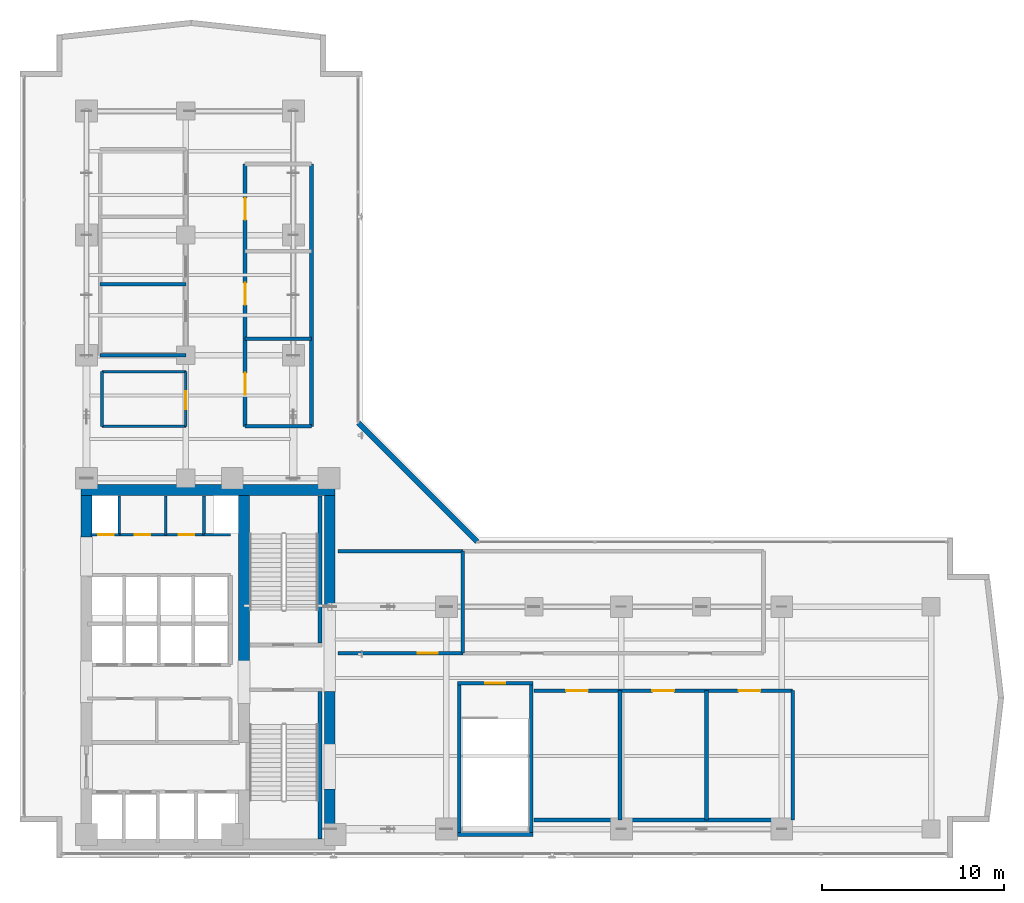
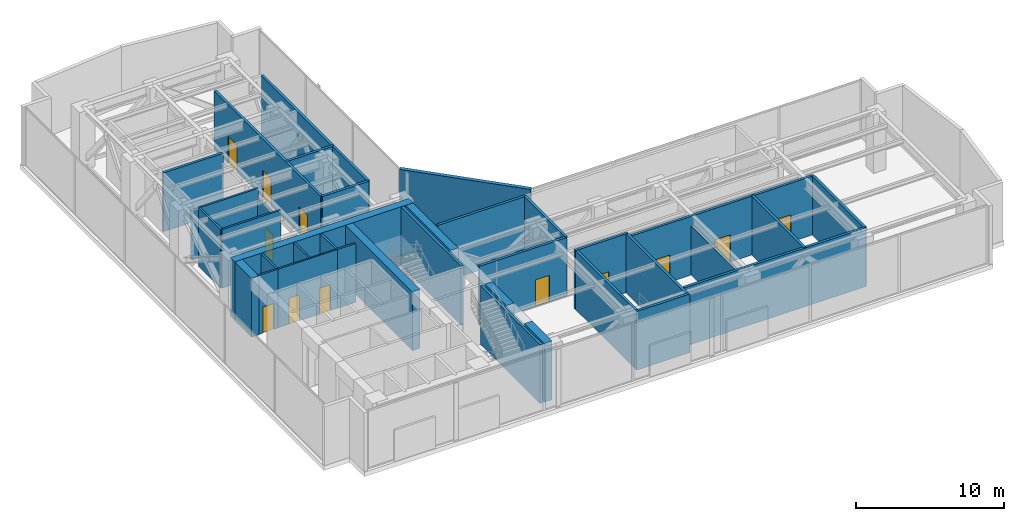
# One storey, part 31 of 36: 37 walls, 12 doors, 12 openings.
"""IFC4 building model written with IfcOpenShell, lengths in metres."""

from ifc_helpers import new_model, si_unit, direction, frame, frame_2d, origin, place, context, subcontext, project, spatial, rectangle, extrude, material, layer, layer_set, type_object, element, fill, save


model = new_model("IFC4")

# Units and contexts
model_context = context("Model", 3, precision=1e-05, world=origin(), true_north=direction((0.0, 1.0)))
body_context = subcontext(model_context, "Body", "Model", "MODEL_VIEW")
ifc_project = project(units=[si_unit("LENGTHUNIT", "METRE"), si_unit("AREAUNIT", "SQUARE_METRE"), si_unit("VOLUMEUNIT", "CUBIC_METRE"), si_unit("PLANEANGLEUNIT", "RADIAN"), si_unit("MASSUNIT", "GRAM", prefix="KILO")], contexts=[model_context])

# Site, building, storey
site_placement = place(None, origin())
site = spatial("IfcSite", under=ifc_project, at=site_placement, CompositionType="ELEMENT")
building_placement = place(site_placement, origin())
building = spatial("IfcBuilding", under=site, at=building_placement, Name="Kolvaren Waterfront Exchange", CompositionType="ELEMENT")
storey_placement = place(building_placement, frame((0.0, 0.0, 199.39990234375)))
storey = spatial("IfcBuildingStorey", under=building, at=storey_placement, Name="L51", CompositionType="ELEMENT", Elevation=199.39990234375)

# Walls
ifc_material_1 = material(Name="Precast concrete C40/50", Category="concrete")
ifc_layer_1 = layer(ifc_material_1, 0.280029296875, Name="Precast concrete C40/50")
ifc_layer_set_1 = layer_set([ifc_layer_1], Name="Precast concrete C40/50")
wall_type_1 = type_object("IfcWallType", Name="ARC-EXT-TERR-280", PredefinedType="SOLIDWALL", material=ifc_layer_set_1)
wall_1_placement = place(storey_placement, frame((28.885009765625, 20.97509765625, 0.0), z_axis=(0.0, 0.0, 1.0), x_axis=(-0.707106781187, 0.707106781187, 0.0)))
element("IfcWall", 1, at=wall_1_placement, inside=storey, type_object=wall_type_1, Name="L51 notched corner spandrel pier ELBOW", PredefinedType="SOLIDWALL", context=body_context, shape_type="SweptSolid", body=[
    extrude(rectangle(XDim=9.20654296875, YDim=0.280029296875, at=frame_2d((4.603271484375, 0.0))), origin(), (0.0, 0.0, 1.0), 4.860107421875),
])
ifc_layer_2 = layer(ifc_material_1, 0.199951171875, Name="Precast concrete C40/50")
ifc_layer_set_2 = layer_set([ifc_layer_2], Name="Precast concrete C40/50")
wall_type_2 = type_object("IfcWallType", Name="ARC-FIRE-200", PredefinedType="PARTITIONING", material=ifc_layer_set_2)
wall_2_placement = place(storey_placement, frame((28.10009765625, 14.85009765625, 0.0), z_axis=(0.0, 0.0, 1.0), x_axis=(0.0, 1.0, 0.0)))
element("IfcWall", 2, at=wall_2_placement, inside=storey, type_object=wall_type_2, Name="L51 interior wall PW-L51-REF-W", PredefinedType="PARTITIONING", context=body_context, shape_type="SweptSolid", body=[
    extrude(rectangle(XDim=5.599853515625, YDim=0.199951171875, at=frame_2d((2.7998046875, 0.0))), origin(), (0.0, 0.0, 1.0), 4.860107421875),
])

# Wall, opening, door
wall_3_placement = place(storey_placement, frame((21.25, 14.85009765625, 0.0), z_axis=(0.0, 0.0, 1.0), x_axis=(1.0, 0.0, 0.0)))
wall_3 = element("IfcWall", 3, at=wall_3_placement, inside=storey, type_object=wall_type_2, Name="L51 interior wall PW-L51-OAPL-S", PredefinedType="PARTITIONING", context=body_context, shape_type="SweptSolid", body=[
    extrude(rectangle(XDim=6.85009765625, YDim=0.199951171875, at=frame_2d((3.425048828125, 0.0))), origin(), (0.0, 0.0, 1.0), 4.860107421875),
])
opening_1_placement = place(wall_3_placement, frame((4.372314453125, 0.0, 0.0)))
opening_1 = element("IfcOpeningElement", 4, at=opening_1_placement, cuts=wall_3, Name="Opening FD2", PredefinedType="OPENING", context=body_context, shape_type="SweptSolid", body=[
    extrude(rectangle(XDim=1.10009765625, YDim=2.199951171875, at=frame_2d((0.550048828125, 1.10009765625))), frame((0.0, 0.10986328125, 0.0), z_axis=(0.0, -1.0, 0.0), x_axis=(1.0, 0.0, 0.0)), (0.0, 0.0, 1.0), 0.219970703125),
])
ifc_material_2 = material(Name="Pressed steel smoke-seal fire door", Category="steel")
door_type_1 = type_object("IfcDoorType", Name="ARC-FD-1100", OperationType="NOTDEFINED", PredefinedType="DOOR", material=ifc_material_2)
door_1_placement = place(opening_1_placement, origin())
door_1 = element("IfcDoor", 5, at=door_1_placement, inside=storey, type_object=door_type_1, Name="L51 door DR-L51-OAPL1-D (FD2)", OperationType="SINGLE_SWING_LEFT", OverallHeight=2.199951171875, OverallWidth=1.10009765625, PredefinedType="DOOR", context=body_context, shape_type="SweptSolid", body=[
    extrude(rectangle(XDim=1.10009765625, YDim=2.199951171875, at=frame_2d((0.550048828125, 1.10009765625))), frame((0.0, 0.02490234375, 0.0), z_axis=(0.0, -1.0, 0.0), x_axis=(1.0, 0.0, 0.0)), (0.0, 0.0, 1.0), 0.050048828125),
])
fill(opening_1, door_1)

# Wall
wall_4_placement = place(storey_placement, frame((21.25, 20.449951171875, 0.0), z_axis=(0.0, 0.0, 1.0), x_axis=(1.0, 0.0, 0.0)))
element("IfcWall", 6, at=wall_4_placement, inside=storey, type_object=wall_type_2, Name="L51 interior wall PW-L51-OAPL-N", PredefinedType="PARTITIONING", context=body_context, shape_type="SweptSolid", body=[
    extrude(rectangle(XDim=6.85009765625, YDim=0.199951171875, at=frame_2d((3.425048828125, 0.0))), origin(), (0.0, 0.0, 1.0), 4.860107421875),
])

# Wall, openings, doors
wall_5_placement = place(storey_placement, frame((32.0, 12.800048828125, 0.0), z_axis=(0.0, 0.0, 1.0), x_axis=(1.0, 0.0, 0.0)))
wall_5 = element("IfcWall", 7, at=wall_5_placement, inside=storey, type_object=wall_type_2, Name="L51 interior wall PW-L51-PL-N1", PredefinedType="PARTITIONING", context=body_context, shape_type="SweptSolid", body=[
    extrude(rectangle(XDim=14.199951171875, YDim=0.199951171875, at=frame_2d((7.10009765625, 0.0))), origin(), (0.0, 0.0, 1.0), 4.860107421875),
])
opening_2_placement = place(wall_5_placement, frame((1.764892578125, 0.0, 0.0)))
opening_2 = element("IfcOpeningElement", 8, at=opening_2_placement, cuts=wall_5, Name="Opening FD3", PredefinedType="OPENING", context=body_context, shape_type="SweptSolid", body=[
    extrude(rectangle(XDim=1.199951171875, YDim=2.25, at=frame_2d((0.60009765625, 1.125))), frame((0.0, 0.10986328125, 0.0), z_axis=(0.0, -1.0, 0.0), x_axis=(1.0, 0.0, 0.0)), (0.0, 0.0, 1.0), 0.219970703125),
])
opening_3_placement = place(wall_5_placement, frame((6.5, 0.0, 0.0)))
opening_3 = element("IfcOpeningElement", 9, at=opening_3_placement, cuts=wall_5, Name="Opening FD3", PredefinedType="OPENING", context=body_context, shape_type="SweptSolid", body=[
    extrude(rectangle(XDim=1.199951171875, YDim=2.25, at=frame_2d((0.60009765625, 1.125))), frame((0.0, 0.10986328125, 0.0), z_axis=(0.0, -1.0, 0.0), x_axis=(1.0, 0.0, 0.0)), (0.0, 0.0, 1.0), 0.219970703125),
])
opening_4_placement = place(wall_5_placement, frame((11.235107421875, 0.0, 0.0)))
opening_4 = element("IfcOpeningElement", 10, at=opening_4_placement, cuts=wall_5, Name="Opening FD3", PredefinedType="OPENING", context=body_context, shape_type="SweptSolid", body=[
    extrude(rectangle(XDim=1.199951171875, YDim=2.25, at=frame_2d((0.60009765625, 1.125))), frame((0.0, 0.10986328125, 0.0), z_axis=(0.0, -1.0, 0.0), x_axis=(1.0, 0.0, 0.0)), (0.0, 0.0, 1.0), 0.219970703125),
])
ifc_material_3 = material(Name="Pressed steel fire door", Category="steel")
door_type_2 = type_object("IfcDoorType", Name="ARC-FD-1200", OperationType="NOTDEFINED", PredefinedType="DOOR", material=ifc_material_3)
door_2_placement = place(opening_2_placement, origin())
door_2 = element("IfcDoor", 11, at=door_2_placement, inside=storey, type_object=door_type_2, Name="L51 door DR-L51-PLES-D1 (FD3)", OperationType="SINGLE_SWING_LEFT", OverallHeight=2.25, OverallWidth=1.199951171875, PredefinedType="DOOR", context=body_context, shape_type="SweptSolid", body=[
    extrude(rectangle(XDim=1.199951171875, YDim=2.25, at=frame_2d((0.60009765625, 1.125))), frame((0.0, 0.02490234375, 0.0), z_axis=(0.0, -1.0, 0.0), x_axis=(1.0, 0.0, 0.0)), (0.0, 0.0, 1.0), 0.050048828125),
])
fill(opening_2, door_2)
door_3_placement = place(opening_3_placement, origin())
door_3 = element("IfcDoor", 12, at=door_3_placement, inside=storey, type_object=door_type_2, Name="L51 door DR-L51-PLES-D2 (FD3)", OperationType="SINGLE_SWING_RIGHT", OverallHeight=2.25, OverallWidth=1.199951171875, PredefinedType="DOOR", context=body_context, shape_type="SweptSolid", body=[
    extrude(rectangle(XDim=1.199951171875, YDim=2.25, at=frame_2d((0.60009765625, 1.125))), frame((0.0, 0.02490234375, 0.0), z_axis=(0.0, -1.0, 0.0), x_axis=(1.0, 0.0, 0.0)), (0.0, 0.0, 1.0), 0.050048828125),
])
fill(opening_3, door_3)
door_4_placement = place(opening_4_placement, origin())
door_4 = element("IfcDoor", 13, at=door_4_placement, inside=storey, type_object=door_type_2, Name="L51 door DR-L51-PLES-D3 (FD3)", OperationType="SINGLE_SWING_LEFT", OverallHeight=2.25, OverallWidth=1.199951171875, PredefinedType="DOOR", context=body_context, shape_type="SweptSolid", body=[
    extrude(rectangle(XDim=1.199951171875, YDim=2.25, at=frame_2d((0.60009765625, 1.125))), frame((0.0, 0.02490234375, 0.0), z_axis=(0.0, -1.0, 0.0), x_axis=(1.0, 0.0, 0.0)), (0.0, 0.0, 1.0), 0.050048828125),
])
fill(opening_4, door_4)

# Walls
wall_6_placement = place(storey_placement, frame((46.199951171875, 5.699951171875, 0.0), z_axis=(0.0, 0.0, 1.0), x_axis=(0.0, 1.0, 0.0)))
element("IfcWall", 14, at=wall_6_placement, inside=storey, type_object=wall_type_2, Name="L51 interior wall PW-L51-PL-E1", PredefinedType="PARTITIONING", context=body_context, shape_type="SweptSolid", body=[
    extrude(rectangle(XDim=7.10009765625, YDim=0.199951171875, at=frame_2d((3.550048828125, 0.0))), origin(), (0.0, 0.0, 1.0), 4.860107421875),
])
wall_7_placement = place(storey_placement, frame((32.0, 5.699951171875, 0.0), z_axis=(0.0, 0.0, 1.0), x_axis=(1.0, 0.0, 0.0)))
element("IfcWall", 15, at=wall_7_placement, inside=storey, type_object=wall_type_2, Name="L51 interior wall PW-L51-PL-S1", PredefinedType="PARTITIONING", context=body_context, shape_type="SweptSolid", body=[
    extrude(rectangle(XDim=14.199951171875, YDim=0.199951171875, at=frame_2d((7.10009765625, 0.0))), origin(), (0.0, 0.0, 1.0), 4.860107421875),
])
wall_8_placement = place(storey_placement, frame((36.72998046875, 5.699951171875, 0.0), z_axis=(0.0, 0.0, 1.0), x_axis=(0.0, 1.0, 0.0)))
element("IfcWall", 16, at=wall_8_placement, inside=storey, type_object=wall_type_2, Name="L51 interior wall PW-L51-PL-M1-1", PredefinedType="PARTITIONING", context=body_context, shape_type="SweptSolid", body=[
    extrude(rectangle(XDim=7.10009765625, YDim=0.199951171875, at=frame_2d((3.550048828125, 0.0))), origin(), (0.0, 0.0, 1.0), 4.06005859375),
])
wall_9_placement = place(storey_placement, frame((41.469970703125, 5.699951171875, 0.0), z_axis=(0.0, 0.0, 1.0), x_axis=(0.0, 1.0, 0.0)))
element("IfcWall", 17, at=wall_9_placement, inside=storey, type_object=wall_type_2, Name="L51 interior wall PW-L51-PL-M1-2", PredefinedType="PARTITIONING", context=body_context, shape_type="SweptSolid", body=[
    extrude(rectangle(XDim=7.10009765625, YDim=0.199951171875, at=frame_2d((3.550048828125, 0.0))), origin(), (0.0, 0.0, 1.0), 4.860107421875),
])
wall_10_placement = place(storey_placement, frame((8.199951171875, 31.199951171875, 0.0), z_axis=(0.0, 0.0, 1.0), x_axis=(1.0, 0.0, 0.0)))
element("IfcWall", 18, at=wall_10_placement, inside=storey, type_object=wall_type_2, Name="L51 interior wall PW-L51-PL-S3", PredefinedType="PARTITIONING", context=body_context, shape_type="SweptSolid", body=[
    extrude(rectangle(XDim=4.699951171875, YDim=0.199951171875, at=frame_2d((2.35009765625, 0.0))), origin(), (0.0, 0.0, 1.0), 4.06005859375),
])
wall_11_placement = place(storey_placement, frame((8.199951171875, 35.10009765625, 0.0), z_axis=(0.0, 0.0, 1.0), x_axis=(1.0, 0.0, 0.0)))
element("IfcWall", 19, at=wall_11_placement, inside=storey, type_object=wall_type_2, Name="L51 interior wall PW-L51-PL-M3-1", PredefinedType="PARTITIONING", context=body_context, shape_type="SweptSolid", body=[
    extrude(rectangle(XDim=4.699951171875, YDim=0.199951171875, at=frame_2d((2.35009765625, 0.0))), origin(), (0.0, 0.0, 1.0), 4.860107421875),
])

# Wall, openings, doors
wall_12_placement = place(storey_placement, frame((16.14990234375, 27.300048828125, 0.0), z_axis=(0.0, 0.0, 1.0), x_axis=(0.0, 1.0, 0.0)))
wall_12 = element("IfcWall", 20, at=wall_12_placement, inside=storey, type_object=wall_type_2, Name="L51 interior wall PW-L51-PL-W4", PredefinedType="PARTITIONING", context=body_context, shape_type="SweptSolid", body=[
    extrude(rectangle(XDim=14.39990234375, YDim=0.199951171875, at=frame_2d((7.199951171875, 0.0))), origin(), (0.0, 0.0, 1.0), 4.860107421875),
])
opening_5_placement = place(wall_12_placement, frame((1.72900390625, 0.0, 0.0)))
opening_5 = element("IfcOpeningElement", 21, at=opening_5_placement, cuts=wall_12, Name="Opening FD3", PredefinedType="OPENING", context=body_context, shape_type="SweptSolid", body=[
    extrude(rectangle(XDim=1.199951171875, YDim=2.25, at=frame_2d((0.60009765625, 1.125))), frame((0.0, 0.10986328125, 0.0), z_axis=(0.0, -1.0, 0.0), x_axis=(1.0, 0.0, 0.0)), (0.0, 0.0, 1.0), 0.219970703125),
])
opening_6_placement = place(wall_12_placement, frame((6.671142578125, 0.0, 0.0)))
opening_6 = element("IfcOpeningElement", 22, at=opening_6_placement, cuts=wall_12, Name="Opening FD3", PredefinedType="OPENING", context=body_context, shape_type="SweptSolid", body=[
    extrude(rectangle(XDim=1.199951171875, YDim=2.25, at=frame_2d((0.60009765625, 1.125))), frame((0.0, 0.10986328125, 0.0), z_axis=(0.0, -1.0, 0.0), x_axis=(1.0, 0.0, 0.0)), (0.0, 0.0, 1.0), 0.219970703125),
])
opening_7_placement = place(wall_12_placement, frame((11.328857421875, 0.0, 0.0)))
opening_7 = element("IfcOpeningElement", 23, at=opening_7_placement, cuts=wall_12, Name="Opening FD3", PredefinedType="OPENING", context=body_context, shape_type="SweptSolid", body=[
    extrude(rectangle(XDim=1.199951171875, YDim=2.25, at=frame_2d((0.60009765625, 1.125))), frame((0.0, 0.10986328125, 0.0), z_axis=(0.0, -1.0, 0.0), x_axis=(1.0, 0.0, 0.0)), (0.0, 0.0, 1.0), 0.219970703125),
])
door_5_placement = place(opening_5_placement, origin())
door_5 = element("IfcDoor", 24, at=door_5_placement, inside=storey, type_object=door_type_2, Name="L51 door DR-L51-PLNER-D1 (FD3)", OperationType="SINGLE_SWING_LEFT", OverallHeight=2.25, OverallWidth=1.199951171875, PredefinedType="DOOR", context=body_context, shape_type="SweptSolid", body=[
    extrude(rectangle(XDim=1.199951171875, YDim=2.25, at=frame_2d((0.60009765625, 1.125))), frame((0.0, 0.02490234375, 0.0), z_axis=(0.0, -1.0, 0.0), x_axis=(1.0, 0.0, 0.0)), (0.0, 0.0, 1.0), 0.050048828125),
])
fill(opening_5, door_5)
door_6_placement = place(opening_6_placement, origin())
door_6 = element("IfcDoor", 25, at=door_6_placement, inside=storey, type_object=door_type_2, Name="L51 door DR-L51-PLNER-D2 (FD3)", OperationType="SINGLE_SWING_RIGHT", OverallHeight=2.25, OverallWidth=1.199951171875, PredefinedType="DOOR", context=body_context, shape_type="SweptSolid", body=[
    extrude(rectangle(XDim=1.199951171875, YDim=2.25, at=frame_2d((0.60009765625, 1.125))), frame((0.0, 0.02490234375, 0.0), z_axis=(0.0, -1.0, 0.0), x_axis=(1.0, 0.0, 0.0)), (0.0, 0.0, 1.0), 0.050048828125),
])
fill(opening_6, door_6)
door_7_placement = place(opening_7_placement, origin())
door_7 = element("IfcDoor", 26, at=door_7_placement, inside=storey, type_object=door_type_2, Name="L51 door DR-L51-PLNER-D3 (FD3)", OperationType="SINGLE_SWING_LEFT", OverallHeight=2.25, OverallWidth=1.199951171875, PredefinedType="DOOR", context=body_context, shape_type="SweptSolid", body=[
    extrude(rectangle(XDim=1.199951171875, YDim=2.25, at=frame_2d((0.60009765625, 1.125))), frame((0.0, 0.02490234375, 0.0), z_axis=(0.0, -1.0, 0.0), x_axis=(1.0, 0.0, 0.0)), (0.0, 0.0, 1.0), 0.050048828125),
])
fill(opening_7, door_7)

# Walls
wall_13_placement = place(storey_placement, frame((19.800048828125, 27.300048828125, 0.0), z_axis=(0.0, 0.0, 1.0), x_axis=(0.0, 1.0, 0.0)))
element("IfcWall", 27, at=wall_13_placement, inside=storey, type_object=wall_type_2, Name="L51 interior wall PW-L51-PL-E4", PredefinedType="PARTITIONING", context=body_context, shape_type="SweptSolid", body=[
    extrude(rectangle(XDim=14.39990234375, YDim=0.199951171875, at=frame_2d((7.199951171875, 0.0))), origin(), (0.0, 0.0, 1.0), 4.860107421875),
])
for number, where, z_axis, x_axis, name in (
    (28, (16.14990234375, 27.300048828125, 0.0), (0.0, 0.0, 1.0), (1.0, 0.0, 0.0), "L51 interior wall PW-L51-PL-S4"),
    (29, (16.14990234375, 32.10009765625, 0.0), (0.0, 0.0, 1.0), (1.0, 0.0, 0.0), "L51 interior wall PW-L51-PL-M4-1"),
):
    element("IfcWall", number, at=place(storey_placement, frame(where, z_axis=z_axis, x_axis=x_axis)), inside=storey, type_object=wall_type_2, Name=name, PredefinedType="PARTITIONING", context=body_context, shape_type="SweptSolid", body=[
        extrude(rectangle(XDim=3.650146484375, YDim=0.199951171875, at=frame_2d((1.8251953125, 0.0))), origin(), (0.0, 0.0, 1.0), 4.860107421875),
    ])

# Wall, openings, doors
ifc_material_4 = material(Name="Acoustic gypsum steel stud", Category="steel")
ifc_layer_3 = layer(ifc_material_4, 0.125, Name="Acoustic gypsum steel stud")
ifc_layer_set_3 = layer_set([ifc_layer_3], Name="Acoustic gypsum steel stud")
wall_type_3 = type_object("IfcWallType", Name="ARC-PART-125", PredefinedType="PARTITIONING", material=ifc_layer_set_3)
wall_14_placement = place(storey_placement, frame((9.25, 21.35009765625, 0.0), z_axis=(0.0, 0.0, 1.0), x_axis=(1.0, 0.0, 0.0)))
wall_14 = element("IfcWall", 30, at=wall_14_placement, inside=storey, type_object=wall_type_3, Name="L51 interior wall PW-L51-SVC-EX-S", PredefinedType="PARTITIONING", context=body_context, shape_type="SweptSolid", body=[
    extrude(rectangle(XDim=4.64990234375, YDim=0.125, at=frame_2d((2.324951171875, 0.0))), origin(), (0.0, 0.0, 1.0), 4.860107421875),
])
opening_8_placement = place(wall_14_placement, frame((0.85009765625, 0.0, 0.0)))
opening_8 = element("IfcOpeningElement", 31, at=opening_8_placement, cuts=wall_14, Name="Opening D01", PredefinedType="OPENING", context=body_context, shape_type="SweptSolid", body=[
    extrude(rectangle(XDim=0.85009765625, YDim=2.14990234375, at=frame_2d((0.425048828125, 1.074951171875))), frame((0.0, 0.072509765625, 0.0), z_axis=(0.0, -1.0, 0.0), x_axis=(1.0, 0.0, 0.0)), (0.0, 0.0, 1.0), 0.14501953125),
])
opening_9_placement = place(wall_14_placement, frame((3.25, 0.0, 0.0)))
opening_9 = element("IfcOpeningElement", 32, at=opening_9_placement, cuts=wall_14, Name="Opening D01", PredefinedType="OPENING", context=body_context, shape_type="SweptSolid", body=[
    extrude(rectangle(XDim=0.85009765625, YDim=2.14990234375, at=frame_2d((0.425048828125, 1.074951171875))), frame((0.0, 0.072509765625, 0.0), z_axis=(0.0, -1.0, 0.0), x_axis=(1.0, 0.0, 0.0)), (0.0, 0.0, 1.0), 0.14501953125),
])
ifc_material_5 = material(Name="Oak veneer timber leaf", Category="wood")
door_type_3 = type_object("IfcDoorType", Name="ARC-DR-900", OperationType="NOTDEFINED", PredefinedType="DOOR", material=ifc_material_5)
door_8_placement = place(opening_8_placement, origin())
door_8 = element("IfcDoor", 33, at=door_8_placement, inside=storey, type_object=door_type_3, Name="L51 door DR-L51-SVC-DR-1 (D01)", OperationType="SINGLE_SWING_LEFT", OverallHeight=2.14990234375, OverallWidth=0.85009765625, PredefinedType="DOOR", context=body_context, shape_type="SweptSolid", body=[
    extrude(rectangle(XDim=0.85009765625, YDim=2.14990234375, at=frame_2d((0.425048828125, 1.074951171875))), frame((0.0, 0.02490234375, 0.0), z_axis=(0.0, -1.0, 0.0), x_axis=(1.0, 0.0, 0.0)), (0.0, 0.0, 1.0), 0.050048828125),
])
fill(opening_8, door_8)
door_9_placement = place(opening_9_placement, origin())
door_9 = element("IfcDoor", 34, at=door_9_placement, inside=storey, type_object=door_type_3, Name="L51 door DR-L51-SVC-DR-2 (D01)", OperationType="SINGLE_SWING_RIGHT", OverallHeight=2.14990234375, OverallWidth=0.85009765625, PredefinedType="DOOR", context=body_context, shape_type="SweptSolid", body=[
    extrude(rectangle(XDim=0.85009765625, YDim=2.14990234375, at=frame_2d((0.425048828125, 1.074951171875))), frame((0.0, 0.02490234375, 0.0), z_axis=(0.0, -1.0, 0.0), x_axis=(1.0, 0.0, 0.0)), (0.0, 0.0, 1.0), 0.050048828125),
])
fill(opening_9, door_9)

# Walls
wall_15_placement = place(storey_placement, frame((11.800048828125, 21.35009765625, 0.0), z_axis=(0.0, 0.0, 1.0), x_axis=(0.0, 1.0, 0.0)))
element("IfcWall", 35, at=wall_15_placement, inside=storey, type_object=wall_type_3, Name="L51 interior wall PW-L51-SVC-PL-M", PredefinedType="PARTITIONING", context=body_context, shape_type="SweptSolid", body=[
    extrude(rectangle(XDim=2.1298828125, YDim=0.125, at=frame_2d((1.06494140625, 0.0))), origin(), (0.0, 0.0, 1.0), 4.860107421875),
])
ifc_material_6 = material(Name="Gypsum fireboard steel stud", Category="steel")
ifc_layer_4 = layer(ifc_material_6, 0.14990234375, Name="Gypsum fireboard steel stud")
ifc_layer_set_4 = layer_set([ifc_layer_4], Name="Gypsum fireboard steel stud")
wall_type_4 = type_object("IfcWallType", Name="ARC-PART-150", PredefinedType="PARTITIONING", material=ifc_layer_set_4)
for number, where, z_axis, x_axis, name in (
    (36, (9.25, 21.35009765625, 0.0), (0.0, 0.0, 1.0), (0.0, 1.0, 0.0), "L51 interior wall PW-L51-SVC-R1"),
    (37, (13.89990234375, 21.35009765625, 0.0), (0.0, 0.0, 1.0), (0.0, 1.0, 0.0), "L51 interior wall PW-L51-SVC-R2"),
):
    element("IfcWall", number, at=place(storey_placement, frame(where, z_axis=z_axis, x_axis=x_axis)), inside=storey, type_object=wall_type_4, Name=name, PredefinedType="PARTITIONING", context=body_context, shape_type="SweptSolid", body=[
        extrude(rectangle(XDim=2.1298828125, YDim=0.14990234375, at=frame_2d((1.06494140625, 0.0))), origin(), (0.0, 0.0, 1.0), 4.860107421875),
    ])

# Wall, opening, door
wall_16_placement = place(storey_placement, frame((7.699951171875, 21.35009765625, 0.0), z_axis=(0.0, 0.0, 1.0), x_axis=(1.0, 0.0, 0.0)))
wall_16 = element("IfcWall", 38, at=wall_16_placement, inside=storey, type_object=wall_type_4, Name="L51 interior wall PW-L51-SVC-RE-S", PredefinedType="PARTITIONING", context=body_context, shape_type="SweptSolid", body=[
    extrude(rectangle(XDim=1.550048828125, YDim=0.14990234375, at=frame_2d((0.77490234375, 0.0))), origin(), (0.0, 0.0, 1.0), 4.860107421875),
])
opening_10_placement = place(wall_16_placement, frame((0.389892578125, 0.0, 0.0)))
opening_10 = element("IfcOpeningElement", 39, at=opening_10_placement, cuts=wall_16, Name="Opening FD1", PredefinedType="OPENING", context=body_context, shape_type="SweptSolid", body=[
    extrude(rectangle(XDim=0.85009765625, YDim=2.14990234375, at=frame_2d((0.425048828125, 1.074951171875))), frame((0.0, 0.0849609375, 0.0), z_axis=(0.0, -1.0, 0.0), x_axis=(1.0, 0.0, 0.0)), (0.0, 0.0, 1.0), 0.169921875),
])
ifc_material_7 = material(Name="Pressed steel fire leaf", Category="steel")
door_type_4 = type_object("IfcDoorType", Name="ARC-FD-900", OperationType="NOTDEFINED", PredefinedType="DOOR", material=ifc_material_7)
door_10_placement = place(opening_10_placement, origin())
door_10 = element("IfcDoor", 40, at=door_10_placement, inside=storey, type_object=door_type_4, Name="L51 door DR-L51-RISER-E-DR (FD1)", OperationType="SINGLE_SWING_RIGHT", OverallHeight=2.14990234375, OverallWidth=0.85009765625, PredefinedType="DOOR", context=body_context, shape_type="SweptSolid", body=[
    extrude(rectangle(XDim=0.85009765625, YDim=2.14990234375, at=frame_2d((0.425048828125, 1.074951171875))), frame((0.0, 0.02490234375, 0.0), z_axis=(0.0, -1.0, 0.0), x_axis=(1.0, 0.0, 0.0)), (0.0, 0.0, 1.0), 0.050048828125),
])
fill(opening_10, door_10)

# Walls
wall_17_placement = place(storey_placement, frame((13.89990234375, 21.35009765625, 0.0), z_axis=(0.0, 0.0, 1.0), x_axis=(1.0, 0.0, 0.0)))
element("IfcWall", 41, at=wall_17_placement, inside=storey, type_object=wall_type_4, Name="L51 interior wall PW-L51-SVC-RP-S", PredefinedType="PARTITIONING", context=body_context, shape_type="SweptSolid", body=[
    extrude(rectangle(XDim=1.4501953125, YDim=0.14990234375, at=frame_2d((0.72509765625, 0.0))), origin(), (0.0, 0.0, 1.0), 4.860107421875),
])
ifc_material_8 = material(Name="Moisture-resistant gypsum stud")
ifc_layer_5 = layer(ifc_material_8, 0.14990234375, Name="Moisture-resistant gypsum stud")
ifc_layer_set_5 = layer_set([ifc_layer_5], Name="Moisture-resistant gypsum stud")
wall_type_5 = type_object("IfcWallType", Name="ARC-PLUMB-150", PredefinedType="PLUMBINGWALL", material=ifc_layer_set_5)
wall_18_placement = place(storey_placement, frame((8.300048828125, 27.300048828125, 0.0), z_axis=(0.0, 0.0, 1.0), x_axis=(1.0, 0.0, 0.0)))
element("IfcWall", 42, at=wall_18_placement, inside=storey, type_object=wall_type_5, Name="L51 interior wall PW-L51-REF-WC-S", PredefinedType="PLUMBINGWALL", context=body_context, shape_type="SweptSolid", body=[
    extrude(rectangle(XDim=4.599853515625, YDim=0.14990234375, at=frame_2d((2.2998046875, 0.0))), origin(), (0.0, 0.0, 1.0), 4.860107421875),
])
wall_19_placement = place(storey_placement, frame((8.300048828125, 27.300048828125, 0.0), z_axis=(0.0, 0.0, 1.0), x_axis=(0.0, 1.0, 0.0)))
element("IfcWall", 43, at=wall_19_placement, inside=storey, type_object=wall_type_5, Name="L51 interior wall PW-L51-REF-WC-W", PredefinedType="PLUMBINGWALL", context=body_context, shape_type="SweptSolid", body=[
    extrude(rectangle(XDim=3.0, YDim=0.14990234375, at=frame_2d((1.5, 0.0))), origin(), (0.0, 0.0, 1.0), 4.860107421875),
])

# Wall, opening, door
wall_20_placement = place(storey_placement, frame((12.89990234375, 27.300048828125, 0.0), z_axis=(0.0, 0.0, 1.0), x_axis=(0.0, 1.0, 0.0)))
wall_20 = element("IfcWall", 44, at=wall_20_placement, inside=storey, type_object=wall_type_5, Name="L51 interior wall PW-L51-REF-WC-E", PredefinedType="PLUMBINGWALL", context=body_context, shape_type="SweptSolid", body=[
    extrude(rectangle(XDim=3.0, YDim=0.14990234375, at=frame_2d((1.5, 0.0))), origin(), (0.0, 0.0, 1.0), 4.06005859375),
])
opening_11_placement = place(wall_20_placement, frame((0.929931640625, 0.0, 0.0)))
opening_11 = element("IfcOpeningElement", 45, at=opening_11_placement, cuts=wall_20, Name="Opening D03", PredefinedType="OPENING", context=body_context, shape_type="SweptSolid", body=[
    extrude(rectangle(XDim=1.0, YDim=2.199951171875, at=frame_2d((0.5, 1.10009765625))), frame((0.0, 0.0849609375, 0.0), z_axis=(0.0, -1.0, 0.0), x_axis=(1.0, 0.0, 0.0)), (0.0, 0.0, 1.0), 0.169921875),
])
ifc_material_9 = material(Name="Oak veneer accessible timber", Category="wood")
door_type_5 = type_object("IfcDoorType", Name="ARC-DR-1000", OperationType="NOTDEFINED", PredefinedType="DOOR", material=ifc_material_9)
door_11_placement = place(opening_11_placement, origin())
door_11 = element("IfcDoor", 46, at=door_11_placement, inside=storey, type_object=door_type_5, Name="L51 door DR-L51-REF-WCD (D03)", OperationType="SINGLE_SWING_RIGHT", OverallHeight=2.199951171875, OverallWidth=1.0, PredefinedType="DOOR", context=body_context, shape_type="SweptSolid", body=[
    extrude(rectangle(XDim=1.0, YDim=2.199951171875, at=frame_2d((0.5, 1.10009765625))), frame((0.0, 0.02490234375, 0.0), z_axis=(0.0, -1.0, 0.0), x_axis=(1.0, 0.0, 0.0)), (0.0, 0.0, 1.0), 0.050048828125),
])
fill(opening_11, door_11)

# Walls
wall_21_placement = place(storey_placement, frame((8.300048828125, 30.300048828125, 0.0), z_axis=(0.0, 0.0, 1.0), x_axis=(1.0, 0.0, 0.0)))
element("IfcWall", 47, at=wall_21_placement, inside=storey, type_object=wall_type_5, Name="L51 interior wall PW-L51-REF-WC-N", PredefinedType="PLUMBINGWALL", context=body_context, shape_type="SweptSolid", body=[
    extrude(rectangle(XDim=4.599853515625, YDim=0.14990234375, at=frame_2d((2.2998046875, 0.0))), origin(), (0.0, 0.0, 1.0), 4.860107421875),
])
ifc_material_10 = material(Name="Concrete C40/50", Category="concrete")
ifc_layer_6 = layer(ifc_material_10, 0.199951171875, Name="Concrete C40/50")
ifc_layer_set_6 = layer_set([ifc_layer_6], Name="Concrete C40/50")
wall_type_6 = type_object("IfcWallType", Name="ARC-SHAFT-200", PredefinedType="PARTITIONING", material=ifc_layer_set_6)
for number, where, z_axis, x_axis, name in (
    (48, (20.260009765625, 4.659912109375, 0.0), (0.0, 0.0, 1.0), (0.0, 1.0, 0.0), "L51 structural stairwell wall PW-L51-ST1-E"),
    (49, (20.260009765625, 15.39990234375, 0.0), (0.0, 0.0, 1.0), (0.0, 1.0, 0.0), "L51 structural stairwell wall PW-L51-ST2-E"),
):
    element("IfcWall", number, at=place(storey_placement, frame(where, z_axis=z_axis, x_axis=x_axis)), inside=storey, type_object=wall_type_6, Name=name, PredefinedType="SHEAR", context=body_context, shape_type="SweptSolid", body=[
        extrude(rectangle(XDim=8.090087890625, YDim=0.199951171875, at=frame_2d((4.044921875, 0.0))), origin(), (0.0, 0.0, 1.0), 4.860107421875),
    ])
for number, where, z_axis, x_axis, name in (
    (50, (27.89990234375, 5.0, 0.0), (0.0, 0.0, 1.0), (0.0, 1.0, 0.0), "L51 structural stairwell wall PW-L51-ST3-W"),
    (51, (31.860107421875, 5.0, 0.0), (0.0, 0.0, 1.0), (0.0, 1.0, 0.0), "L51 structural stairwell wall PW-L51-ST3-E"),
):
    element("IfcWall", number, at=place(storey_placement, frame(where, z_axis=z_axis, x_axis=x_axis)), inside=storey, type_object=wall_type_6, Name=name, PredefinedType="SHEAR", context=body_context, shape_type="SweptSolid", body=[
        extrude(rectangle(XDim=8.10009765625, YDim=0.199951171875, at=frame_2d((4.050048828125, 0.0))), origin(), (0.0, 0.0, 1.0), 4.860107421875),
    ])
wall_22_placement = place(storey_placement, frame((27.800048828125, 4.89990234375, 0.0), z_axis=(0.0, 0.0, 1.0), x_axis=(1.0, 0.0, 0.0)))
element("IfcWall", 52, at=wall_22_placement, inside=storey, type_object=wall_type_6, Name="L51 structural stairwell wall PW-L51-ST3-S", PredefinedType="SHEAR", context=body_context, shape_type="SweptSolid", body=[
    extrude(rectangle(XDim=4.159912109375, YDim=0.199951171875, at=frame_2d((2.080078125, 0.0))), origin(), (0.0, 0.0, 1.0), 4.860107421875),
])

# Wall, opening, door
wall_23_placement = place(storey_placement, frame((27.800048828125, 13.199951171875, 0.0), z_axis=(0.0, 0.0, 1.0), x_axis=(1.0, 0.0, 0.0)))
wall_23 = element("IfcWall", 53, at=wall_23_placement, inside=storey, type_object=wall_type_6, Name="L51 structural stairwell wall PW-L51-ST3-N", PredefinedType="SHEAR", context=body_context, shape_type="SweptSolid", body=[
    extrude(rectangle(XDim=4.159912109375, YDim=0.199951171875, at=frame_2d((2.080078125, 0.0))), origin(), (0.0, 0.0, 1.0), 4.860107421875),
])
opening_12_placement = place(wall_23_placement, frame((1.530029296875, 0.0, 0.0)))
opening_12 = element("IfcOpeningElement", 54, at=opening_12_placement, cuts=wall_23, Name="Opening FD2", PredefinedType="OPENING", context=body_context, shape_type="SweptSolid", body=[
    extrude(rectangle(XDim=1.10009765625, YDim=2.199951171875, at=frame_2d((0.550048828125, 1.10009765625))), frame((0.0, 0.10986328125, 0.0), z_axis=(0.0, -1.0, 0.0), x_axis=(1.0, 0.0, 0.0)), (0.0, 0.0, 1.0), 0.219970703125),
])
door_12_placement = place(opening_12_placement, frame((1.10009765625, 0.0, 0.0), z_axis=(0.0, 0.0, 1.0), x_axis=(-1.0, 0.0, 0.0)))
door_12 = element("IfcDoor", 55, at=door_12_placement, inside=storey, type_object=door_type_1, Name="L51 door DR-L51-ST3-IN (FD2)", OperationType="SINGLE_SWING_RIGHT", OverallHeight=2.199951171875, OverallWidth=1.10009765625, PredefinedType="DOOR", context=body_context, shape_type="SweptSolid", body=[
    extrude(rectangle(XDim=1.10009765625, YDim=2.199951171875, at=frame_2d((0.550048828125, 1.10009765625))), frame((0.0, 0.02490234375, 0.0), z_axis=(0.0, -1.0, 0.0), x_axis=(1.0, 0.0, 0.0)), (0.0, 0.0, 1.0), 0.050048828125),
])
fill(opening_12, door_12)

# Walls
ifc_material_11 = material(Name="Concrete C60/75", Category="concrete")
ifc_layer_7 = layer(ifc_material_11, 0.60009765625, Name="Concrete C60/75")
ifc_layer_set_7 = layer_set([ifc_layer_7], Name="Concrete C60/75")
wall_type_7 = type_object("IfcWallType", Name="STR-CWALL-600", PredefinedType="SHEAR", material=ifc_layer_set_7)
wall_24_placement = place(storey_placement, frame((7.14990234375, 23.800048828125, 0.0), z_axis=(0.0, 0.0, 1.0), x_axis=(1.0, 0.0, 0.0)))
element("IfcWall", 56, at=wall_24_placement, inside=storey, type_object=wall_type_7, Name="L51 rear-core shear wall N", PredefinedType="SHEAR", context=body_context, shape_type="SweptSolid", body=[
    extrude(rectangle(XDim=13.9501953125, YDim=0.60009765625, at=frame_2d((6.97509765625, 0.0))), origin(), (0.0, 0.0, 1.0), 4.860107421875),
])
wall_25_placement = place(storey_placement, frame((7.449951171875, 21.239990234375, 0.0), z_axis=(0.0, 0.0, 1.0), x_axis=(0.0, 1.0, 0.0)))
element("IfcWall", 57, at=wall_25_placement, inside=storey, type_object=wall_type_7, Name="L51 rear-core shear wall W3", PredefinedType="SHEAR", context=body_context, shape_type="SweptSolid", body=[
    extrude(rectangle(XDim=2.260009765625, YDim=0.60009765625, at=frame_2d((1.1298828125, 0.0))), origin(), (0.0, 0.0, 1.0), 4.860107421875),
])
wall_26_placement = place(storey_placement, frame((20.800048828125, 4.64990234375, 0.0), z_axis=(0.0, 0.0, 1.0), x_axis=(0.0, 1.0, 0.0)))
element("IfcWall", 58, at=wall_26_placement, inside=storey, type_object=wall_type_7, Name="L51 rear-core shear wall E1", PredefinedType="SHEAR", context=body_context, shape_type="SweptSolid", body=[
    extrude(rectangle(XDim=2.75, YDim=0.60009765625, at=frame_2d((1.375, 0.0))), origin(), (0.0, 0.0, 1.0), 4.860107421875),
])
wall_27_placement = place(storey_placement, frame((20.800048828125, 9.800048828125, 0.0), z_axis=(0.0, 0.0, 1.0), x_axis=(0.0, 1.0, 0.0)))
element("IfcWall", 59, at=wall_27_placement, inside=storey, type_object=wall_type_7, Name="L51 rear-core shear wall E2", PredefinedType="SHEAR", context=body_context, shape_type="SweptSolid", body=[
    extrude(rectangle(XDim=2.949951171875, YDim=0.60009765625, at=frame_2d((1.47509765625, 0.0))), origin(), (0.0, 0.0, 1.0), 4.860107421875),
])
wall_28_placement = place(storey_placement, frame((20.800048828125, 17.35009765625, 0.0), z_axis=(0.0, 0.0, 1.0), x_axis=(0.0, 1.0, 0.0)))
element("IfcWall", 60, at=wall_28_placement, inside=storey, type_object=wall_type_7, Name="L51 rear-core shear wall E3", PredefinedType="SHEAR", context=body_context, shape_type="SweptSolid", body=[
    extrude(rectangle(XDim=6.14990234375, YDim=0.60009765625, at=frame_2d((3.074951171875, 0.0))), origin(), (0.0, 0.0, 1.0), 4.860107421875),
])
wall_29_placement = place(storey_placement, frame((16.10009765625, 14.39990234375, 0.0), z_axis=(0.0, 0.0, 1.0), x_axis=(0.0, 1.0, 0.0)))
element("IfcWall", 61, at=wall_29_placement, inside=storey, type_object=wall_type_7, Name="L51 rear-core shear wall M3", PredefinedType="SHEAR", context=body_context, shape_type="SweptSolid", body=[
    extrude(rectangle(XDim=9.10009765625, YDim=0.60009765625, at=frame_2d((4.550048828125, 0.0))), origin(), (0.0, 0.0, 1.0), 4.860107421875),
])

save(model, "model.ifc")
